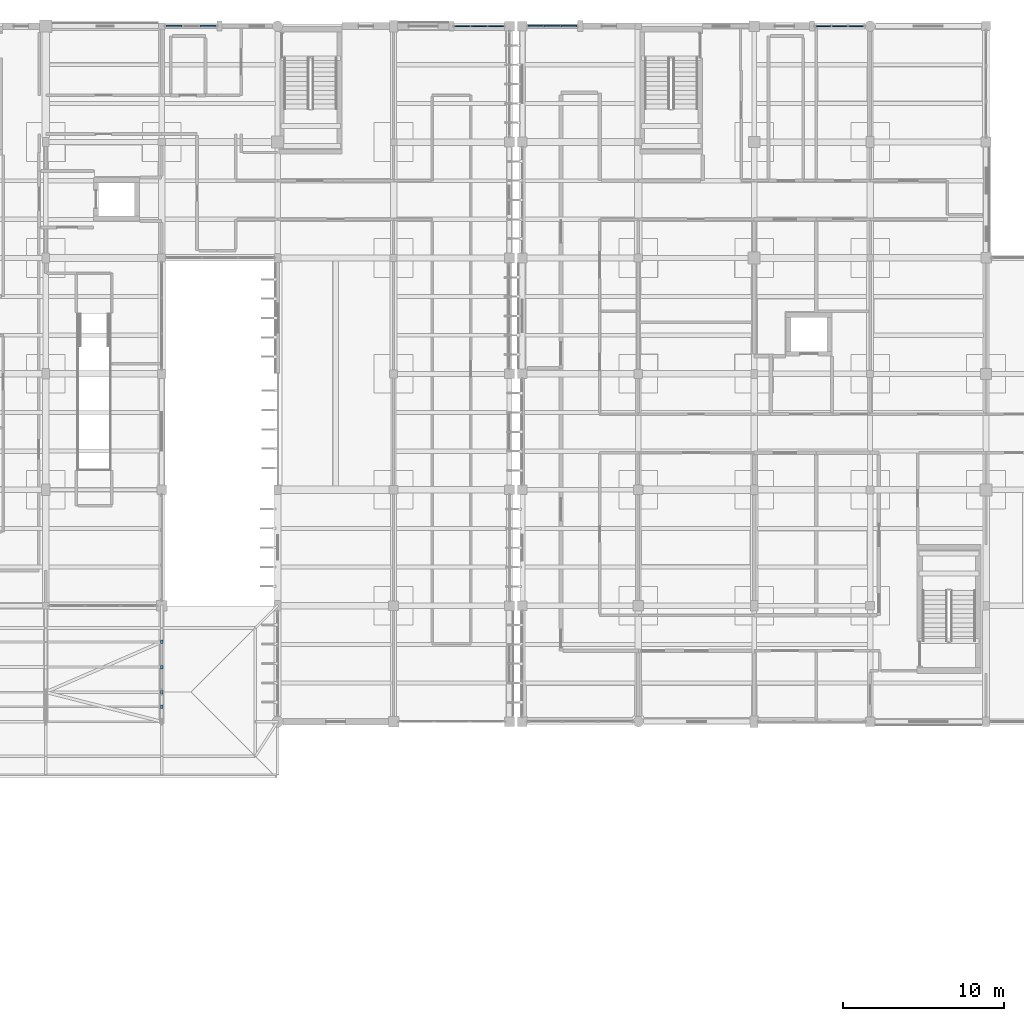
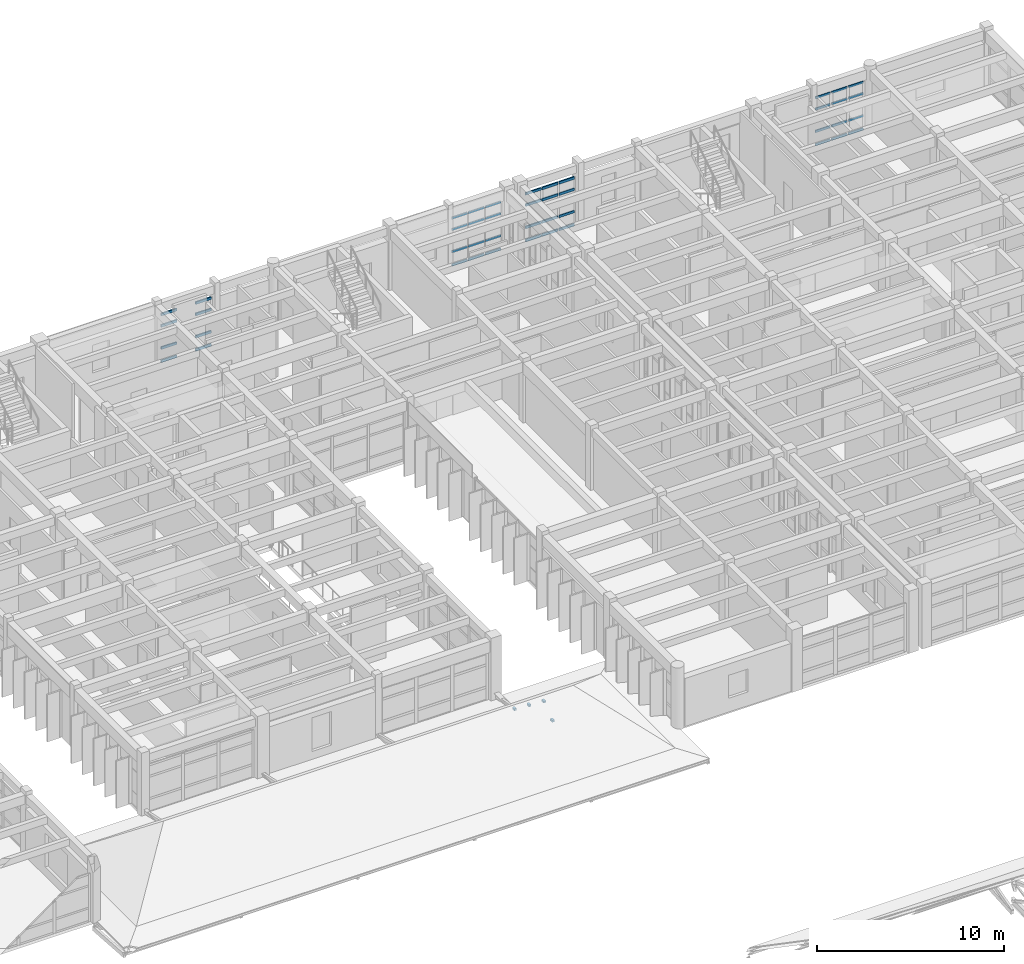
# One storey, part 46 of 100: 48 members, 4 elements without a shape of their own.
"""IFC4 building model written with IfcOpenShell, lengths in metres."""

from ifc_helpers import new_model, si_unit, direction, frame, origin, origin_2d, place, context, subcontext, project, spatial, rectangle, extrude, material, material_profile, profile_set, type_object, element, aggregate, save


model = new_model("IFC4")

# Units and contexts
model_context = context("Model", 3, precision=1e-05, world=origin(), true_north=direction((0.0, 1.0)))
body_context = subcontext(model_context, "Body", "Model", "MODEL_VIEW")
ifc_project = project(units=[si_unit("LENGTHUNIT", "METRE"), si_unit("AREAUNIT", "SQUARE_METRE"), si_unit("VOLUMEUNIT", "CUBIC_METRE"), si_unit("PLANEANGLEUNIT", "RADIAN"), si_unit("MASSUNIT", "GRAM", prefix="KILO")], contexts=[model_context])

# Site, building, storey
site_placement = place(None, origin())
site = spatial("IfcSite", under=ifc_project, at=site_placement, CompositionType="ELEMENT")
building_placement = place(site_placement, origin())
building = spatial("IfcBuilding", under=site, at=building_placement, Name="Steenspoor Specialist Clinic", CompositionType="ELEMENT")
storey_placement = place(building_placement, frame((0.0, 0.0, 9.0)))
storey = spatial("IfcBuildingStorey", under=building, at=storey_placement, Name="L02", CompositionType="ELEMENT", Elevation=9.0)

# Curtain wall, members
ifc_material_1 = material(Name="Thermally broken aluminium and low-emissivity glass", Category="aluminium")
curtain_wall_type_1 = type_object("IfcCurtainWallType", Name="CW-TYP-360X355", PredefinedType="USERDEFINED", material=ifc_material_1)
curtain_wall_1_placement = place(storey_placement, origin())
curtain_wall_1 = element("IfcCurtainWall", 1, at=curtain_wall_1_placement, inside=storey, type_object=curtain_wall_type_1, Name="Unitised Curtain Wall CW-V4-L02-086", ObjectType="UNITISED GLAZING", PredefinedType="USERDEFINED")
ifc_material_2 = material(Name="Thermally broken aluminium 6063-T6", Category="aluminium")
ifc_material_profile_1 = material_profile(ifc_material_2, rectangle(XDim=0.070068359375, YDim=0.14501953125, at=origin_2d()), Name="CWT-70X145")
ifc_profile_set_1 = profile_set([ifc_material_profile_1], Name="Thermally broken aluminium 6063-T6")
member_type_1 = type_object("IfcMemberType", Name="CW-TRAN-70X145", PredefinedType="USERDEFINED", material=ifc_profile_set_1)
member_1_placement = place(storey_placement, frame((113.81005859375, 108.35009765625, 0.034912109375), z_axis=(1.0, 0.0, 0.0), x_axis=(0.0, 1.0, 0.0)))
member_1 = element("IfcMember", 2, at=member_1_placement, type_object=member_type_1, Name="CW-14 transom 1.1", ObjectType="TRANSOM", PredefinedType="USERDEFINED", context=body_context, shape_type="SweptSolid", body=[
    extrude(rectangle(XDim=0.070068359375, YDim=0.14501953125, at=origin_2d()), origin(), (0.0, 0.0, 1.0), 0.9482421875),
])
member_2_placement = place(storey_placement, frame((113.81005859375, 108.35009765625, 0.89990234375), z_axis=(1.0, 0.0, 0.0), x_axis=(0.0, 1.0, 0.0)))
member_2 = element("IfcMember", 3, at=member_2_placement, type_object=member_type_1, Name="CW-14 transom 1.2", ObjectType="TRANSOM", PredefinedType="USERDEFINED", context=body_context, shape_type="SweptSolid", body=[
    extrude(rectangle(XDim=0.070068359375, YDim=0.14501953125, at=origin_2d()), origin(), (0.0, 0.0, 1.0), 0.9482421875),
])
member_3_placement = place(storey_placement, frame((113.81005859375, 108.35009765625, 2.35009765625), z_axis=(1.0, 0.0, 0.0), x_axis=(0.0, 1.0, 0.0)))
member_3 = element("IfcMember", 4, at=member_3_placement, type_object=member_type_1, Name="CW-14 transom 1.3", ObjectType="TRANSOM", PredefinedType="USERDEFINED", context=body_context, shape_type="SweptSolid", body=[
    extrude(rectangle(XDim=0.070068359375, YDim=0.14501953125, at=origin_2d()), origin(), (0.0, 0.0, 1.0), 0.9482421875),
])
member_4_placement = place(storey_placement, frame((113.81005859375, 108.35009765625, 3.094970703125), z_axis=(1.0, 0.0, 0.0), x_axis=(0.0, 1.0, 0.0)))
member_4 = element("IfcMember", 5, at=member_4_placement, type_object=member_type_1, Name="CW-14 transom 1.4", ObjectType="TRANSOM", PredefinedType="USERDEFINED", context=body_context, shape_type="SweptSolid", body=[
    extrude(rectangle(XDim=0.070068359375, YDim=0.14501953125, at=origin_2d()), origin(), (0.0, 0.0, 1.0), 0.9482421875),
])
member_5_placement = place(storey_placement, frame((114.828369140625, 108.35009765625, 0.034912109375), z_axis=(1.0, 0.0, 0.0), x_axis=(0.0, 1.0, 0.0)))
member_5 = element("IfcMember", 6, at=member_5_placement, type_object=member_type_1, Name="CW-14 transom 2.1", ObjectType="TRANSOM", PredefinedType="USERDEFINED", context=body_context, shape_type="SweptSolid", body=[
    extrude(rectangle(XDim=0.070068359375, YDim=0.14501953125, at=origin_2d()), origin(), (0.0, 0.0, 1.0), 0.9833984375),
])
member_6_placement = place(storey_placement, frame((114.828369140625, 108.35009765625, 0.89990234375), z_axis=(1.0, 0.0, 0.0), x_axis=(0.0, 1.0, 0.0)))
member_6 = element("IfcMember", 7, at=member_6_placement, type_object=member_type_1, Name="CW-14 transom 2.2", ObjectType="TRANSOM", PredefinedType="USERDEFINED", context=body_context, shape_type="SweptSolid", body=[
    extrude(rectangle(XDim=0.070068359375, YDim=0.14501953125, at=origin_2d()), origin(), (0.0, 0.0, 1.0), 0.9833984375),
])
member_7_placement = place(storey_placement, frame((114.828369140625, 108.35009765625, 2.35009765625), z_axis=(1.0, 0.0, 0.0), x_axis=(0.0, 1.0, 0.0)))
member_7 = element("IfcMember", 8, at=member_7_placement, type_object=member_type_1, Name="CW-14 transom 2.3", ObjectType="TRANSOM", PredefinedType="USERDEFINED", context=body_context, shape_type="SweptSolid", body=[
    extrude(rectangle(XDim=0.070068359375, YDim=0.14501953125, at=origin_2d()), origin(), (0.0, 0.0, 1.0), 0.9833984375),
])
member_8_placement = place(storey_placement, frame((114.828369140625, 108.35009765625, 3.094970703125), z_axis=(1.0, 0.0, 0.0), x_axis=(0.0, 1.0, 0.0)))
member_8 = element("IfcMember", 9, at=member_8_placement, type_object=member_type_1, Name="CW-14 transom 2.4", ObjectType="TRANSOM", PredefinedType="USERDEFINED", context=body_context, shape_type="SweptSolid", body=[
    extrude(rectangle(XDim=0.070068359375, YDim=0.14501953125, at=origin_2d()), origin(), (0.0, 0.0, 1.0), 0.9833984375),
])
member_9_placement = place(storey_placement, frame((115.881591796875, 108.35009765625, 0.034912109375), z_axis=(1.0, 0.0, 0.0), x_axis=(0.0, 1.0, 0.0)))
member_9 = element("IfcMember", 10, at=member_9_placement, type_object=member_type_1, Name="CW-14 transom 3.1", ObjectType="TRANSOM", PredefinedType="USERDEFINED", context=body_context, shape_type="SweptSolid", body=[
    extrude(rectangle(XDim=0.070068359375, YDim=0.14501953125, at=origin_2d()), origin(), (0.0, 0.0, 1.0), 0.948486328125),
])
member_10_placement = place(storey_placement, frame((115.881591796875, 108.35009765625, 0.89990234375), z_axis=(1.0, 0.0, 0.0), x_axis=(0.0, 1.0, 0.0)))
member_10 = element("IfcMember", 11, at=member_10_placement, type_object=member_type_1, Name="CW-14 transom 3.2", ObjectType="TRANSOM", PredefinedType="USERDEFINED", context=body_context, shape_type="SweptSolid", body=[
    extrude(rectangle(XDim=0.070068359375, YDim=0.14501953125, at=origin_2d()), origin(), (0.0, 0.0, 1.0), 0.948486328125),
])
member_11_placement = place(storey_placement, frame((115.881591796875, 108.35009765625, 2.35009765625), z_axis=(1.0, 0.0, 0.0), x_axis=(0.0, 1.0, 0.0)))
member_11 = element("IfcMember", 12, at=member_11_placement, type_object=member_type_1, Name="CW-14 transom 3.3", ObjectType="TRANSOM", PredefinedType="USERDEFINED", context=body_context, shape_type="SweptSolid", body=[
    extrude(rectangle(XDim=0.070068359375, YDim=0.14501953125, at=origin_2d()), origin(), (0.0, 0.0, 1.0), 0.948486328125),
])
member_12_placement = place(storey_placement, frame((115.881591796875, 108.35009765625, 3.094970703125), z_axis=(1.0, 0.0, 0.0), x_axis=(0.0, 1.0, 0.0)))
member_12 = element("IfcMember", 13, at=member_12_placement, type_object=member_type_1, Name="CW-14 transom 3.4", ObjectType="TRANSOM", PredefinedType="USERDEFINED", context=body_context, shape_type="SweptSolid", body=[
    extrude(rectangle(XDim=0.070068359375, YDim=0.14501953125, at=origin_2d()), origin(), (0.0, 0.0, 1.0), 0.948486328125),
])
aggregate(curtain_wall_1, [member_1, member_2, member_3, member_4, member_5, member_6, member_7, member_8, member_9, member_10, member_11, member_12])

curtain_wall_type_2 = type_object("IfcCurtainWallType", Name="CW-STR-220X355", PredefinedType="USERDEFINED", material=ifc_material_1)
curtain_wall_2_placement = place(storey_placement, origin())
curtain_wall_2 = element("IfcCurtainWall", 14, at=curtain_wall_2_placement, inside=storey, type_object=curtain_wall_type_2, Name="Unitised Curtain Wall CW-V6-L02-191", ObjectType="UNITISED GLAZING", PredefinedType="USERDEFINED")
member_13_placement = place(storey_placement, frame((136.239990234375, 108.35009765625, 0.034912109375), z_axis=(1.0, 0.0, 0.0), x_axis=(0.0, 1.0, 0.0)))
member_13 = element("IfcMember", 15, at=member_13_placement, type_object=member_type_1, Name="CW-23 transom 1.1", ObjectType="TRANSOM", PredefinedType="USERDEFINED", context=body_context, shape_type="SweptSolid", body=[
    extrude(rectangle(XDim=0.070068359375, YDim=0.14501953125, at=origin_2d()), origin(), (0.0, 0.0, 1.0), 0.90673828125),
])
member_14_placement = place(storey_placement, frame((136.239990234375, 108.35009765625, 0.89990234375), z_axis=(1.0, 0.0, 0.0), x_axis=(0.0, 1.0, 0.0)))
member_14 = element("IfcMember", 16, at=member_14_placement, type_object=member_type_1, Name="CW-23 transom 1.2", ObjectType="TRANSOM", PredefinedType="USERDEFINED", context=body_context, shape_type="SweptSolid", body=[
    extrude(rectangle(XDim=0.070068359375, YDim=0.14501953125, at=origin_2d()), origin(), (0.0, 0.0, 1.0), 0.90673828125),
])
member_15_placement = place(storey_placement, frame((136.239990234375, 108.35009765625, 2.35009765625), z_axis=(1.0, 0.0, 0.0), x_axis=(0.0, 1.0, 0.0)))
member_15 = element("IfcMember", 17, at=member_15_placement, type_object=member_type_1, Name="CW-23 transom 1.3", ObjectType="TRANSOM", PredefinedType="USERDEFINED", context=body_context, shape_type="SweptSolid", body=[
    extrude(rectangle(XDim=0.070068359375, YDim=0.14501953125, at=origin_2d()), origin(), (0.0, 0.0, 1.0), 0.90673828125),
])
member_16_placement = place(storey_placement, frame((136.239990234375, 108.35009765625, 3.094970703125), z_axis=(1.0, 0.0, 0.0), x_axis=(0.0, 1.0, 0.0)))
member_16 = element("IfcMember", 18, at=member_16_placement, type_object=member_type_1, Name="CW-23 transom 1.4", ObjectType="TRANSOM", PredefinedType="USERDEFINED", context=body_context, shape_type="SweptSolid", body=[
    extrude(rectangle(XDim=0.070068359375, YDim=0.14501953125, at=origin_2d()), origin(), (0.0, 0.0, 1.0), 0.90673828125),
])
member_17_placement = place(storey_placement, frame((137.236572265625, 108.35009765625, 0.034912109375), z_axis=(1.0, 0.0, 0.0), x_axis=(0.0, 1.0, 0.0)))
member_17 = element("IfcMember", 19, at=member_17_placement, type_object=member_type_1, Name="CW-23 transom 2.1", ObjectType="TRANSOM", PredefinedType="USERDEFINED", context=body_context, shape_type="SweptSolid", body=[
    extrude(rectangle(XDim=0.070068359375, YDim=0.14501953125, at=origin_2d()), origin(), (0.0, 0.0, 1.0), 0.95166015625),
])
member_18_placement = place(storey_placement, frame((137.236572265625, 108.35009765625, 0.89990234375), z_axis=(1.0, 0.0, 0.0), x_axis=(0.0, 1.0, 0.0)))
member_18 = element("IfcMember", 20, at=member_18_placement, type_object=member_type_1, Name="CW-23 transom 2.2", ObjectType="TRANSOM", PredefinedType="USERDEFINED", context=body_context, shape_type="SweptSolid", body=[
    extrude(rectangle(XDim=0.070068359375, YDim=0.14501953125, at=origin_2d()), origin(), (0.0, 0.0, 1.0), 0.95166015625),
])
member_19_placement = place(storey_placement, frame((137.236572265625, 108.35009765625, 2.35009765625), z_axis=(1.0, 0.0, 0.0), x_axis=(0.0, 1.0, 0.0)))
member_19 = element("IfcMember", 21, at=member_19_placement, type_object=member_type_1, Name="CW-23 transom 2.3", ObjectType="TRANSOM", PredefinedType="USERDEFINED", context=body_context, shape_type="SweptSolid", body=[
    extrude(rectangle(XDim=0.070068359375, YDim=0.14501953125, at=origin_2d()), origin(), (0.0, 0.0, 1.0), 0.95166015625),
])
member_20_placement = place(storey_placement, frame((137.236572265625, 108.35009765625, 3.094970703125), z_axis=(1.0, 0.0, 0.0), x_axis=(0.0, 1.0, 0.0)))
member_20 = element("IfcMember", 22, at=member_20_placement, type_object=member_type_1, Name="CW-23 transom 2.4", ObjectType="TRANSOM", PredefinedType="USERDEFINED", context=body_context, shape_type="SweptSolid", body=[
    extrude(rectangle(XDim=0.070068359375, YDim=0.14501953125, at=origin_2d()), origin(), (0.0, 0.0, 1.0), 0.95166015625),
])
member_21_placement = place(storey_placement, frame((138.2783203125, 108.35009765625, 0.034912109375), z_axis=(1.0, 0.0, 0.0), x_axis=(0.0, 1.0, 0.0)))
member_21 = element("IfcMember", 23, at=member_21_placement, type_object=member_type_1, Name="CW-23 transom 3.1", ObjectType="TRANSOM", PredefinedType="USERDEFINED", context=body_context, shape_type="SweptSolid", body=[
    extrude(rectangle(XDim=0.070068359375, YDim=0.14501953125, at=origin_2d()), origin(), (0.0, 0.0, 1.0), 0.90673828125),
])
member_22_placement = place(storey_placement, frame((138.2783203125, 108.35009765625, 0.89990234375), z_axis=(1.0, 0.0, 0.0), x_axis=(0.0, 1.0, 0.0)))
member_22 = element("IfcMember", 24, at=member_22_placement, type_object=member_type_1, Name="CW-23 transom 3.2", ObjectType="TRANSOM", PredefinedType="USERDEFINED", context=body_context, shape_type="SweptSolid", body=[
    extrude(rectangle(XDim=0.070068359375, YDim=0.14501953125, at=origin_2d()), origin(), (0.0, 0.0, 1.0), 0.90673828125),
])
member_23_placement = place(storey_placement, frame((138.2783203125, 108.35009765625, 2.35009765625), z_axis=(1.0, 0.0, 0.0), x_axis=(0.0, 1.0, 0.0)))
member_23 = element("IfcMember", 25, at=member_23_placement, type_object=member_type_1, Name="CW-23 transom 3.3", ObjectType="TRANSOM", PredefinedType="USERDEFINED", context=body_context, shape_type="SweptSolid", body=[
    extrude(rectangle(XDim=0.070068359375, YDim=0.14501953125, at=origin_2d()), origin(), (0.0, 0.0, 1.0), 0.90673828125),
])
member_24_placement = place(storey_placement, frame((138.2783203125, 108.35009765625, 3.094970703125), z_axis=(1.0, 0.0, 0.0), x_axis=(0.0, 1.0, 0.0)))
member_24 = element("IfcMember", 26, at=member_24_placement, type_object=member_type_1, Name="CW-23 transom 3.4", ObjectType="TRANSOM", PredefinedType="USERDEFINED", context=body_context, shape_type="SweptSolid", body=[
    extrude(rectangle(XDim=0.070068359375, YDim=0.14501953125, at=origin_2d()), origin(), (0.0, 0.0, 1.0), 0.90673828125),
])
aggregate(curtain_wall_2, [member_13, member_14, member_15, member_16, member_17, member_18, member_19, member_20, member_21, member_22, member_23, member_24])

curtain_wall_type_3 = type_object("IfcCurtainWallType", Name="CW-TYP-420X355", PredefinedType="USERDEFINED", material=ifc_material_1)
curtain_wall_3_placement = place(storey_placement, origin())
curtain_wall_3 = element("IfcCurtainWall", 27, at=curtain_wall_3_placement, inside=storey, type_object=curtain_wall_type_3, Name="Unitised Curtain Wall CW-V4-L02-085", ObjectType="UNITISED GLAZING", PredefinedType="USERDEFINED")
ifc_material_profile_2 = material_profile(ifc_material_2, rectangle(XDim=0.080078125, YDim=0.159912109375, at=origin_2d()), Name="CWT-80X160")
ifc_profile_set_2 = profile_set([ifc_material_profile_2], Name="Thermally broken aluminium 6063-T6")
member_type_2 = type_object("IfcMemberType", Name="CW-TRAN-80X160", PredefinedType="USERDEFINED", material=ifc_profile_set_2)
member_25_placement = place(storey_placement, frame((95.8798828125, 108.35009765625, 0.0400390625), z_axis=(1.0, 0.0, 0.0), x_axis=(0.0, 1.0, 0.0)))
member_25 = element("IfcMember", 28, at=member_25_placement, type_object=member_type_2, Name="CW-13 transom 1.1", ObjectType="TRANSOM", PredefinedType="USERDEFINED", context=body_context, shape_type="SweptSolid", body=[
    extrude(rectangle(XDim=0.080078125, YDim=0.159912109375, at=origin_2d()), origin(), (0.0, 0.0, 1.0), 0.96337890625),
])
member_26_placement = place(storey_placement, frame((95.8798828125, 108.35009765625, 0.89990234375), z_axis=(1.0, 0.0, 0.0), x_axis=(0.0, 1.0, 0.0)))
member_26 = element("IfcMember", 29, at=member_26_placement, type_object=member_type_2, Name="CW-13 transom 1.2", ObjectType="TRANSOM", PredefinedType="USERDEFINED", context=body_context, shape_type="SweptSolid", body=[
    extrude(rectangle(XDim=0.080078125, YDim=0.159912109375, at=origin_2d()), origin(), (0.0, 0.0, 1.0), 0.96337890625),
])
member_27_placement = place(storey_placement, frame((95.8798828125, 108.35009765625, 2.35009765625), z_axis=(1.0, 0.0, 0.0), x_axis=(0.0, 1.0, 0.0)))
member_27 = element("IfcMember", 30, at=member_27_placement, type_object=member_type_2, Name="CW-13 transom 1.3", ObjectType="TRANSOM", PredefinedType="USERDEFINED", context=body_context, shape_type="SweptSolid", body=[
    extrude(rectangle(XDim=0.080078125, YDim=0.159912109375, at=origin_2d()), origin(), (0.0, 0.0, 1.0), 0.96337890625),
])
member_28_placement = place(storey_placement, frame((95.8798828125, 108.35009765625, 3.090087890625), z_axis=(1.0, 0.0, 0.0), x_axis=(0.0, 1.0, 0.0)))
member_28 = element("IfcMember", 31, at=member_28_placement, type_object=member_type_2, Name="CW-13 transom 1.4", ObjectType="TRANSOM", PredefinedType="USERDEFINED", context=body_context, shape_type="SweptSolid", body=[
    extrude(rectangle(XDim=0.080078125, YDim=0.159912109375, at=origin_2d()), origin(), (0.0, 0.0, 1.0), 0.96337890625),
])
member_29_placement = place(storey_placement, frame((98.006591796875, 108.35009765625, 0.0400390625), z_axis=(1.0, 0.0, 0.0), x_axis=(0.0, 1.0, 0.0)))
member_29 = element("IfcMember", 32, at=member_29_placement, type_object=member_type_2, Name="CW-13 transom 3.1", ObjectType="TRANSOM", PredefinedType="USERDEFINED", context=body_context, shape_type="SweptSolid", body=[
    extrude(rectangle(XDim=0.080078125, YDim=0.159912109375, at=origin_2d()), origin(), (0.0, 0.0, 1.0), 0.96337890625),
])
member_30_placement = place(storey_placement, frame((98.006591796875, 108.35009765625, 0.89990234375), z_axis=(1.0, 0.0, 0.0), x_axis=(0.0, 1.0, 0.0)))
member_30 = element("IfcMember", 33, at=member_30_placement, type_object=member_type_2, Name="CW-13 transom 3.2", ObjectType="TRANSOM", PredefinedType="USERDEFINED", context=body_context, shape_type="SweptSolid", body=[
    extrude(rectangle(XDim=0.080078125, YDim=0.159912109375, at=origin_2d()), origin(), (0.0, 0.0, 1.0), 0.96337890625),
])
member_31_placement = place(storey_placement, frame((98.006591796875, 108.35009765625, 2.35009765625), z_axis=(1.0, 0.0, 0.0), x_axis=(0.0, 1.0, 0.0)))
member_31 = element("IfcMember", 34, at=member_31_placement, type_object=member_type_2, Name="CW-13 transom 3.3", ObjectType="TRANSOM", PredefinedType="USERDEFINED", context=body_context, shape_type="SweptSolid", body=[
    extrude(rectangle(XDim=0.080078125, YDim=0.159912109375, at=origin_2d()), origin(), (0.0, 0.0, 1.0), 0.96337890625),
])
member_32_placement = place(storey_placement, frame((98.006591796875, 108.35009765625, 3.090087890625), z_axis=(1.0, 0.0, 0.0), x_axis=(0.0, 1.0, 0.0)))
member_32 = element("IfcMember", 35, at=member_32_placement, type_object=member_type_2, Name="CW-13 transom 3.4", ObjectType="TRANSOM", PredefinedType="USERDEFINED", context=body_context, shape_type="SweptSolid", body=[
    extrude(rectangle(XDim=0.080078125, YDim=0.159912109375, at=origin_2d()), origin(), (0.0, 0.0, 1.0), 0.96337890625),
])
aggregate(curtain_wall_3, [member_25, member_26, member_27, member_28, member_29, member_30, member_31, member_32])

curtain_wall_type_4 = type_object("IfcCurtainWallType", Name="CW-WLK-360X340", PredefinedType="USERDEFINED", material=ifc_material_1)
curtain_wall_4_placement = place(storey_placement, origin())
curtain_wall_4 = element("IfcCurtainWall", 36, at=curtain_wall_4_placement, inside=storey, type_object=curtain_wall_type_4, Name="Unitised Curtain Wall CW-V6-L02-190", ObjectType="UNITISED GLAZING", PredefinedType="USERDEFINED")
member_33_placement = place(storey_placement, frame((118.360107421875, 108.35009765625, 0.0400390625), z_axis=(1.0, 0.0, 0.0), x_axis=(0.0, 1.0, 0.0)))
member_33 = element("IfcMember", 37, at=member_33_placement, type_object=member_type_2, Name="CW-22 transom 1.1", ObjectType="TRANSOM", PredefinedType="USERDEFINED", context=body_context, shape_type="SweptSolid", body=[
    extrude(rectangle(XDim=0.080078125, YDim=0.159912109375, at=origin_2d()), origin(), (0.0, 0.0, 1.0), 0.953125),
])
member_34_placement = place(storey_placement, frame((118.360107421875, 108.35009765625, 0.89990234375), z_axis=(1.0, 0.0, 0.0), x_axis=(0.0, 1.0, 0.0)))
member_34 = element("IfcMember", 38, at=member_34_placement, type_object=member_type_2, Name="CW-22 transom 1.2", ObjectType="TRANSOM", PredefinedType="USERDEFINED", context=body_context, shape_type="SweptSolid", body=[
    extrude(rectangle(XDim=0.080078125, YDim=0.159912109375, at=origin_2d()), origin(), (0.0, 0.0, 1.0), 0.953125),
])
member_35_placement = place(storey_placement, frame((118.360107421875, 108.35009765625, 2.35009765625), z_axis=(1.0, 0.0, 0.0), x_axis=(0.0, 1.0, 0.0)))
member_35 = element("IfcMember", 39, at=member_35_placement, type_object=member_type_2, Name="CW-22 transom 1.3", ObjectType="TRANSOM", PredefinedType="USERDEFINED", context=body_context, shape_type="SweptSolid", body=[
    extrude(rectangle(XDim=0.080078125, YDim=0.159912109375, at=origin_2d()), origin(), (0.0, 0.0, 1.0), 0.953125),
])
member_36_placement = place(storey_placement, frame((118.360107421875, 108.35009765625, 3.090087890625), z_axis=(1.0, 0.0, 0.0), x_axis=(0.0, 1.0, 0.0)))
member_36 = element("IfcMember", 40, at=member_36_placement, type_object=member_type_2, Name="CW-22 transom 1.4", ObjectType="TRANSOM", PredefinedType="USERDEFINED", context=body_context, shape_type="SweptSolid", body=[
    extrude(rectangle(XDim=0.080078125, YDim=0.159912109375, at=origin_2d()), origin(), (0.0, 0.0, 1.0), 0.953125),
])
member_37_placement = place(storey_placement, frame((119.373291015625, 108.35009765625, 0.0400390625), z_axis=(1.0, 0.0, 0.0), x_axis=(0.0, 1.0, 0.0)))
member_37 = element("IfcMember", 41, at=member_37_placement, type_object=member_type_2, Name="CW-22 transom 2.1", ObjectType="TRANSOM", PredefinedType="USERDEFINED", context=body_context, shape_type="SweptSolid", body=[
    extrude(rectangle(XDim=0.080078125, YDim=0.159912109375, at=origin_2d()), origin(), (0.0, 0.0, 1.0), 0.9833984375),
])
member_38_placement = place(storey_placement, frame((119.373291015625, 108.35009765625, 0.89990234375), z_axis=(1.0, 0.0, 0.0), x_axis=(0.0, 1.0, 0.0)))
member_38 = element("IfcMember", 42, at=member_38_placement, type_object=member_type_2, Name="CW-22 transom 2.2", ObjectType="TRANSOM", PredefinedType="USERDEFINED", context=body_context, shape_type="SweptSolid", body=[
    extrude(rectangle(XDim=0.080078125, YDim=0.159912109375, at=origin_2d()), origin(), (0.0, 0.0, 1.0), 0.9833984375),
])
member_39_placement = place(storey_placement, frame((119.373291015625, 108.35009765625, 2.35009765625), z_axis=(1.0, 0.0, 0.0), x_axis=(0.0, 1.0, 0.0)))
member_39 = element("IfcMember", 43, at=member_39_placement, type_object=member_type_2, Name="CW-22 transom 2.3", ObjectType="TRANSOM", PredefinedType="USERDEFINED", context=body_context, shape_type="SweptSolid", body=[
    extrude(rectangle(XDim=0.080078125, YDim=0.159912109375, at=origin_2d()), origin(), (0.0, 0.0, 1.0), 0.9833984375),
])
member_40_placement = place(storey_placement, frame((119.373291015625, 108.35009765625, 3.090087890625), z_axis=(1.0, 0.0, 0.0), x_axis=(0.0, 1.0, 0.0)))
member_40 = element("IfcMember", 44, at=member_40_placement, type_object=member_type_2, Name="CW-22 transom 2.4", ObjectType="TRANSOM", PredefinedType="USERDEFINED", context=body_context, shape_type="SweptSolid", body=[
    extrude(rectangle(XDim=0.080078125, YDim=0.159912109375, at=origin_2d()), origin(), (0.0, 0.0, 1.0), 0.9833984375),
])
member_41_placement = place(storey_placement, frame((120.416748046875, 108.35009765625, 0.0400390625), z_axis=(1.0, 0.0, 0.0), x_axis=(0.0, 1.0, 0.0)))
member_41 = element("IfcMember", 45, at=member_41_placement, type_object=member_type_2, Name="CW-22 transom 3.1", ObjectType="TRANSOM", PredefinedType="USERDEFINED", context=body_context, shape_type="SweptSolid", body=[
    extrude(rectangle(XDim=0.080078125, YDim=0.159912109375, at=origin_2d()), origin(), (0.0, 0.0, 1.0), 0.953369140625),
])
member_42_placement = place(storey_placement, frame((120.416748046875, 108.35009765625, 0.89990234375), z_axis=(1.0, 0.0, 0.0), x_axis=(0.0, 1.0, 0.0)))
member_42 = element("IfcMember", 46, at=member_42_placement, type_object=member_type_2, Name="CW-22 transom 3.2", ObjectType="TRANSOM", PredefinedType="USERDEFINED", context=body_context, shape_type="SweptSolid", body=[
    extrude(rectangle(XDim=0.080078125, YDim=0.159912109375, at=origin_2d()), origin(), (0.0, 0.0, 1.0), 0.953369140625),
])
member_43_placement = place(storey_placement, frame((120.416748046875, 108.35009765625, 2.35009765625), z_axis=(1.0, 0.0, 0.0), x_axis=(0.0, 1.0, 0.0)))
member_43 = element("IfcMember", 47, at=member_43_placement, type_object=member_type_2, Name="CW-22 transom 3.3", ObjectType="TRANSOM", PredefinedType="USERDEFINED", context=body_context, shape_type="SweptSolid", body=[
    extrude(rectangle(XDim=0.080078125, YDim=0.159912109375, at=origin_2d()), origin(), (0.0, 0.0, 1.0), 0.953369140625),
])
member_44_placement = place(storey_placement, frame((120.416748046875, 108.35009765625, 3.090087890625), z_axis=(1.0, 0.0, 0.0), x_axis=(0.0, 1.0, 0.0)))
member_44 = element("IfcMember", 48, at=member_44_placement, type_object=member_type_2, Name="CW-22 transom 3.4", ObjectType="TRANSOM", PredefinedType="USERDEFINED", context=body_context, shape_type="SweptSolid", body=[
    extrude(rectangle(XDim=0.080078125, YDim=0.159912109375, at=origin_2d()), origin(), (0.0, 0.0, 1.0), 0.953369140625),
])
aggregate(curtain_wall_4, [member_33, member_34, member_35, member_36, member_37, member_38, member_39, member_40, member_41, member_42, member_43, member_44])

# Members
ifc_material_3 = material(Name="Glulam GL28h", Category="wood")
ifc_material_profile_3 = material_profile(ifc_material_3, rectangle(XDim=0.139892578125, YDim=0.219970703125, at=origin_2d()), Name="GL28H-140X220")
ifc_profile_set_3 = profile_set([ifc_material_profile_3], Name="Glulam GL28h")
member_type_3 = type_object("IfcMemberType", Name="MEM-RAFTER-GL220", PredefinedType="RAFTER", material=ifc_profile_set_3)
member_45_placement = place(storey_placement, frame((95.60009765625, 66.0673828125, 2.306640625), z_axis=(0.0, 0.0, 1.0), x_axis=(1.0, 0.0, 0.0)))
element("IfcMember", 49, at=member_45_placement, inside=storey, type_object=member_type_3, Name="ROOF TRUSS Purlin Pack 225B", PredefinedType="RAFTER", context=body_context, shape_type="SweptSolid", body=[
    extrude(rectangle(XDim=0.139892578125, YDim=0.219970703125, at=origin_2d()), origin(), (0.0, 0.0, 1.0), 0.1337890625),
])
member_46_placement = place(storey_placement, frame((95.60009765625, 66.985107421875, 3.011962890625), z_axis=(0.0, 0.0, 1.0), x_axis=(1.0, 0.0, 0.0)))
element("IfcMember", 50, at=member_46_placement, inside=storey, type_object=member_type_3, Name="ROOF TRUSS Purlin Pack 226B", PredefinedType="RAFTER", context=body_context, shape_type="SweptSolid", body=[
    extrude(rectangle(XDim=0.139892578125, YDim=0.219970703125, at=origin_2d()), origin(), (0.0, 0.0, 1.0), 0.11328125),
])
member_47_placement = place(storey_placement, frame((95.60009765625, 68.54248046875, 1.814697265625), z_axis=(0.0, 0.0, 1.0), x_axis=(1.0, 0.0, 0.0)))
element("IfcMember", 51, at=member_47_placement, inside=storey, type_object=member_type_3, Name="ROOF TRUSS Purlin Pack 227B", PredefinedType="RAFTER", context=body_context, shape_type="SweptSolid", body=[
    extrude(rectangle(XDim=0.139892578125, YDim=0.219970703125, at=origin_2d()), origin(), (0.0, 0.0, 1.0), 0.1376953125),
])
member_48_placement = place(storey_placement, frame((95.60009765625, 70.10009765625, 0.6171875), z_axis=(0.0, 0.0, 1.0), x_axis=(1.0, 0.0, 0.0)))
element("IfcMember", 52, at=member_48_placement, inside=storey, type_object=member_type_3, Name="ROOF TRUSS Purlin Pack 228B", PredefinedType="RAFTER", context=body_context, shape_type="SweptSolid", body=[
    extrude(rectangle(XDim=0.139892578125, YDim=0.219970703125, at=origin_2d()), origin(), (0.0, 0.0, 1.0), 0.134033203125),
])

save(model, "model.ifc")
